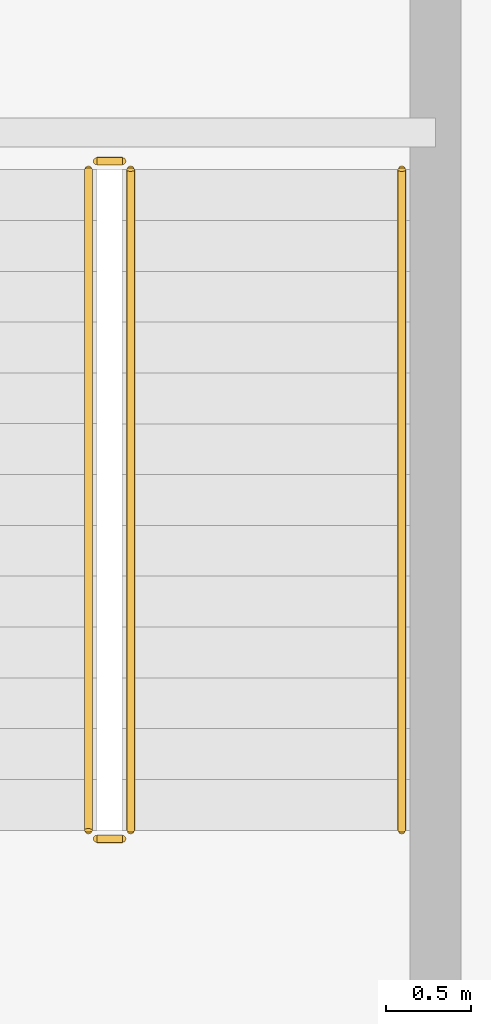
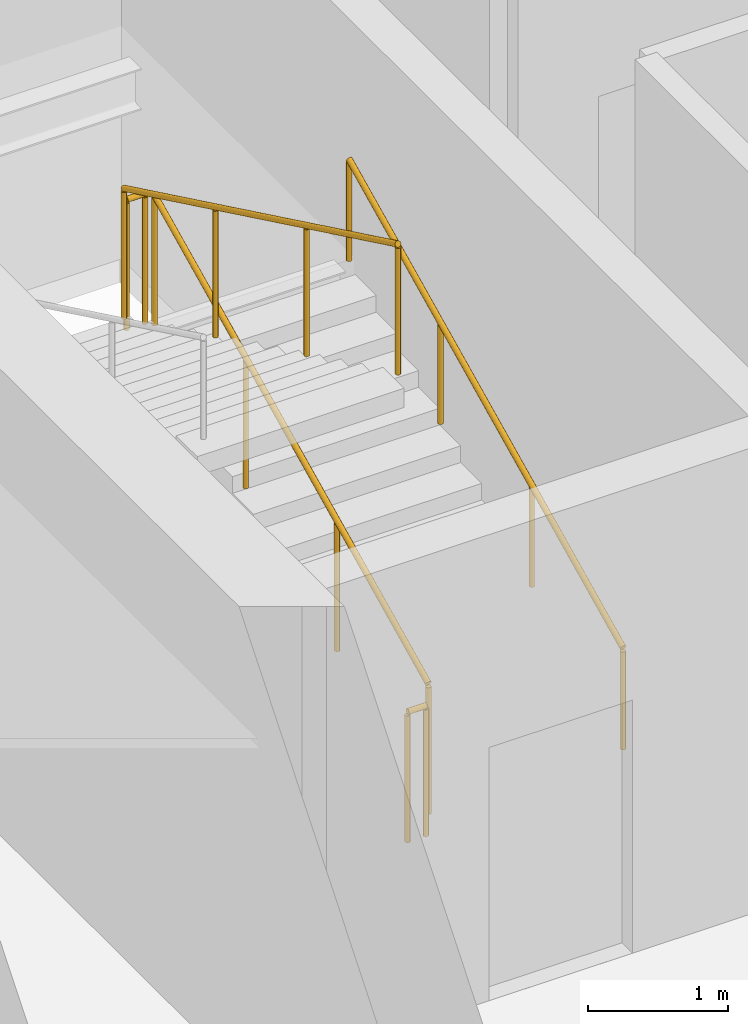
# One storey, part 39 of 46: 5 railings.
"""IFC4 building model written with IfcOpenShell, lengths in metres."""

from ifc_helpers import new_model, si_unit, direction, frame, origin, origin_2d, place, context, subcontext, project, spatial, circle, extrude, material, type_object, element, save


model = new_model("IFC4")

# Units and contexts
model_context = context("Model", 3, precision=1e-05, world=origin(), true_north=direction((0.0, 1.0)))
body_context = subcontext(model_context, "Body", "Model", "MODEL_VIEW")
ifc_project = project(units=[si_unit("LENGTHUNIT", "METRE"), si_unit("AREAUNIT", "SQUARE_METRE"), si_unit("VOLUMEUNIT", "CUBIC_METRE"), si_unit("PLANEANGLEUNIT", "RADIAN"), si_unit("MASSUNIT", "GRAM", prefix="KILO")], contexts=[model_context])

# Site, building, storey
site_placement = place(None, origin())
site = spatial("IfcSite", under=ifc_project, at=site_placement, CompositionType="ELEMENT")
building_placement = place(site_placement, origin())
building = spatial("IfcBuilding", under=site, at=building_placement, Name="Punatoya Terracotta Tower", CompositionType="ELEMENT")
storey_placement = place(building_placement, frame((0.0, 0.0, 200.550048828125)))
storey = spatial("IfcBuildingStorey", under=building, at=storey_placement, Name="L47", CompositionType="ELEMENT", Elevation=200.550048828125)

# Railings
ifc_material = material(Name="Steel S355", Category="steel")
railing_type_1 = type_object("IfcRailingType", Name="RLG-GRD-1150", PredefinedType="GUARDRAIL", material=ifc_material)
railing_1_placement = place(storey_placement, frame((-7.85009765625, -3.800048828125, 0.14453125)))
element("IfcRailing", 1, at=railing_1_placement, inside=storey, type_object=railing_type_1, Name="L47 ST-1 stair guard 1", PredefinedType="GUARDRAIL", context=body_context, shape_type="SweptSolid", body=[
    extrude(circle(Radius=0.02392578125, at=origin_2d()), frame((0.0, 0.0, 1.1259765625), z_axis=(0.0, 0.900773802044, 0.434288564841), x_axis=(-1.0, 0.0, 0.0)), (0.0, 0.0, 1.0), 4.329833984375),
    extrude(circle(Radius=0.02099609375, at=origin_2d()), origin(), (0.0, 0.0, 1.0), 1.101806640625),
    extrude(circle(Radius=0.02099609375, at=origin_2d()), frame((0.0, 1.300048828125, 0.626708984375)), (0.0, 0.0, 1.0), 1.101806640625),
    extrude(circle(Radius=0.02099609375, at=origin_2d()), frame((0.0, 2.60009765625, 1.253662109375)), (0.0, 0.0, 1.0), 1.101806640625),
    extrude(circle(Radius=0.02099609375, at=origin_2d()), frame((0.0, 3.900146484375, 1.88037109375)), (0.0, 0.0, 1.0), 1.101806640625),
])
railing_2_placement = place(storey_placement, frame((-7.89990234375, 0.14990234375, 2.02490234375)))
element("IfcRailing", 2, at=railing_2_placement, inside=storey, type_object=railing_type_1, Name="L47 ST-1 stair guard 2", PredefinedType="GUARDRAIL", context=body_context, shape_type="SweptSolid", body=[
    extrude(circle(Radius=0.02392578125, at=origin_2d()), frame((0.0, 0.0, 1.1259765625), z_axis=(-1.0, 0.0, 0.0), x_axis=(0.0, -1.0, 0.0)), (0.0, 0.0, 1.0), 0.150146484375),
    extrude(circle(Radius=0.02099609375, at=origin_2d()), origin(), (0.0, 0.0, 1.0), 1.101806640625),
    extrude(circle(Radius=0.02099609375, at=origin_2d()), frame((-0.150146484375, 0.0, 0.0)), (0.0, 0.0, 1.0), 1.101806640625),
])
railing_3_placement = place(storey_placement, frame((-8.10009765625, 0.10009765625, 2.169677734375)))
element("IfcRailing", 3, at=railing_3_placement, inside=storey, type_object=railing_type_1, Name="L47 ST-1 stair guard 3", PredefinedType="GUARDRAIL", context=body_context, shape_type="SweptSolid", body=[
    extrude(circle(Radius=0.02392578125, at=origin_2d()), frame((0.0, 0.0, 1.1259765625), z_axis=(0.0, -0.900773802044, 0.434288564841), x_axis=(1.0, 0.0, 0.0)), (0.0, 0.0, 1.0), 4.329833984375),
    extrude(circle(Radius=0.02099609375, at=origin_2d()), origin(), (0.0, 0.0, 1.0), 1.101806640625),
    extrude(circle(Radius=0.02099609375, at=origin_2d()), frame((0.0, -1.300048828125, 0.626708984375)), (0.0, 0.0, 1.0), 1.101806640625),
    extrude(circle(Radius=0.02099609375, at=origin_2d()), frame((0.0, -2.60009765625, 1.253662109375)), (0.0, 0.0, 1.0), 1.101806640625),
    extrude(circle(Radius=0.02099609375, at=origin_2d()), frame((0.0, -3.900146484375, 1.88037109375)), (0.0, 0.0, 1.0), 1.101806640625),
])
railing_4_placement = place(storey_placement, frame((-7.89990234375, -3.85009765625, 0.0)))
element("IfcRailing", 4, at=railing_4_placement, inside=storey, type_object=railing_type_1, Name="L47 ST-1 stair guard 4", PredefinedType="GUARDRAIL", context=body_context, shape_type="SweptSolid", body=[
    extrude(circle(Radius=0.02392578125, at=origin_2d()), frame((0.0, 0.0, 1.1259765625), z_axis=(-1.0, 0.0, 0.0), x_axis=(0.0, -1.0, 0.0)), (0.0, 0.0, 1.0), 0.150146484375),
    extrude(circle(Radius=0.02099609375, at=origin_2d()), origin(), (0.0, 0.0, 1.0), 1.101806640625),
    extrude(circle(Radius=0.02099609375, at=origin_2d()), frame((-0.150146484375, 0.0, 0.0)), (0.0, 0.0, 1.0), 1.101806640625),
])
railing_type_2 = type_object("IfcRailingType", Name="RLG-HND-900", PredefinedType="HANDRAIL", material=ifc_material)
railing_5_placement = place(storey_placement, frame((-6.25, -3.800048828125, 0.14453125)))
element("IfcRailing", 5, at=railing_5_placement, inside=storey, type_object=railing_type_2, Name="L47 ST-1 stair handrail 1", PredefinedType="HANDRAIL", context=body_context, shape_type="SweptSolid", body=[
    extrude(circle(Radius=0.02392578125, at=origin_2d()), frame((0.0, 0.0, 0.8759765625), z_axis=(0.0, 0.900773802044, 0.434288564841), x_axis=(-1.0, 0.0, 0.0)), (0.0, 0.0, 1.0), 4.329833984375),
    extrude(circle(Radius=0.02099609375, at=origin_2d()), origin(), (0.0, 0.0, 1.0), 0.851806640625),
    extrude(circle(Radius=0.02099609375, at=origin_2d()), frame((0.0, 1.300048828125, 0.626708984375)), (0.0, 0.0, 1.0), 0.851806640625),
    extrude(circle(Radius=0.02099609375, at=origin_2d()), frame((0.0, 2.60009765625, 1.253662109375)), (0.0, 0.0, 1.0), 0.851806640625),
    extrude(circle(Radius=0.02099609375, at=origin_2d()), frame((0.0, 3.900146484375, 1.88037109375)), (0.0, 0.0, 1.0), 0.851806640625),
])

save(model, "model.ifc")
